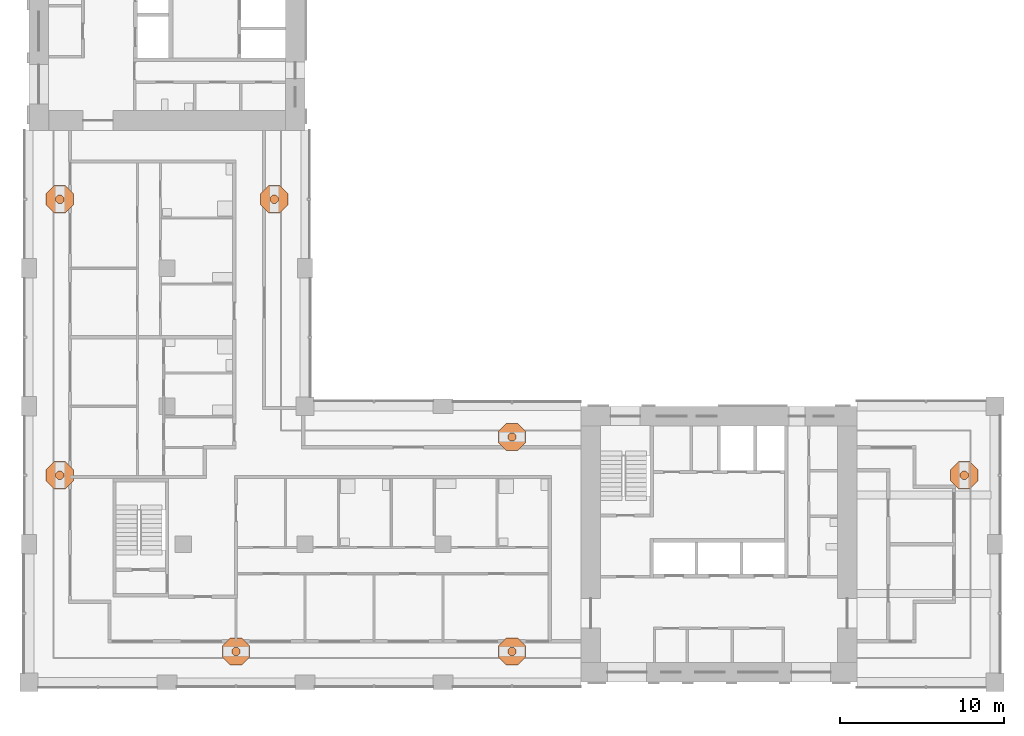
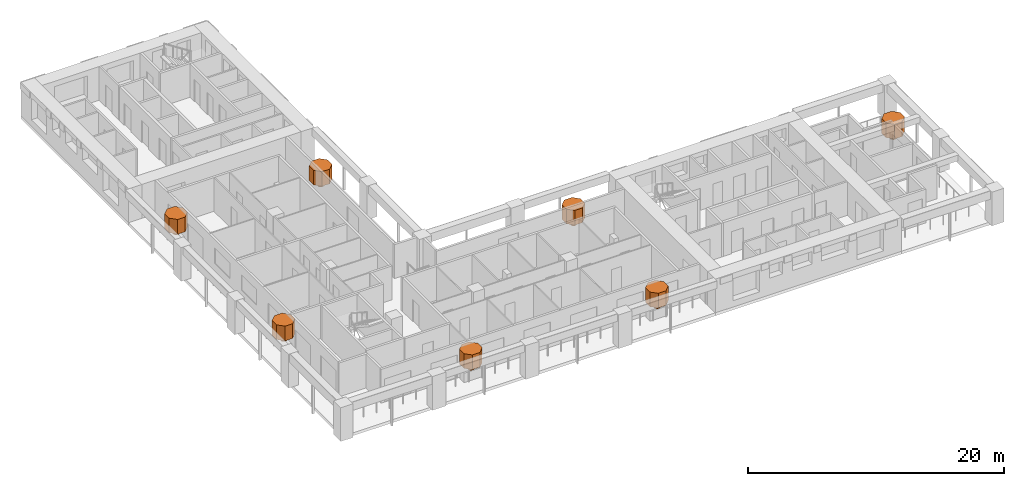
# One storey, part 13 of 13: 14 geographic elements.
"""IFC4 building model written with IfcOpenShell, lengths in metres."""

from ifc_helpers import new_model, si_unit, direction, frame, origin, place, context, subcontext, project, spatial, polyline, outline, extrude, material, element, save


model = new_model("IFC4")

# Units and contexts
model_context = context("Model", 3, precision=1e-05, world=origin(), true_north=direction((0.0, 1.0)))
body_context = subcontext(model_context, "Body", "Model", "MODEL_VIEW")
ifc_project = project(units=[si_unit("LENGTHUNIT", "METRE"), si_unit("AREAUNIT", "SQUARE_METRE"), si_unit("VOLUMEUNIT", "CUBIC_METRE"), si_unit("PLANEANGLEUNIT", "RADIAN"), si_unit("MASSUNIT", "GRAM", prefix="KILO")], contexts=[model_context])

# Site, building, storey
site_placement = place(None, origin())
site = spatial("IfcSite", under=ifc_project, at=site_placement, CompositionType="ELEMENT")
building_placement = place(site_placement, origin())
building = spatial("IfcBuilding", under=site, at=building_placement, Name="Vermilion Gate Residences", CompositionType="ELEMENT")
storey_placement = place(building_placement, frame((0.0, 0.0, 147.699951171875)))
storey = spatial("IfcBuildingStorey", under=building, at=storey_placement, Name="L37", CompositionType="ELEMENT", Elevation=147.699951171875)

# Geographic elements
ifc_material = material(Name="Foliage")
geographic_element_1_placement = place(storey_placement, frame((0.0, 0.0, 0.900146484375)))
element("IfcGeographicElement", 1, at=geographic_element_1_placement, inside=storey, material=ifc_material, Name="Tree (maple)", ObjectType="TREE", PredefinedType="USERDEFINED", context=body_context, shape_type="SweptSolid", body=[
    extrude(outline(polyline([(21.254150390625, 10.380126953125), (21.105224609375, 10.529052734375), (20.894775390625, 10.529052734375), (20.745849609375, 10.380126953125), (20.745849609375, 10.169921875), (20.894775390625, 10.02099609375), (21.105224609375, 10.02099609375), (21.254150390625, 10.169921875), (21.254150390625, 10.380126953125)])), origin(), (0.0, 0.0, 1.0), 0.52001953125),
])
geographic_element_2_placement = place(storey_placement, frame((0.0, 0.0, 1.420166015625)))
element("IfcGeographicElement", 2, at=geographic_element_2_placement, inside=storey, material=ifc_material, Name="Tree crown (maple)", ObjectType="TREE", PredefinedType="USERDEFINED", context=body_context, shape_type="SweptSolid", body=[
    extrude(outline(polyline([(21.83154296875, 10.619384765625), (21.344482421875, 11.1064453125), (20.655517578125, 11.1064453125), (20.16845703125, 10.619384765625), (20.16845703125, 9.9306640625), (20.655517578125, 9.443603515625), (21.344482421875, 9.443603515625), (21.83154296875, 9.9306640625), (21.83154296875, 10.619384765625)])), origin(), (0.0, 0.0, 1.0), 1.39990234375),
])
geographic_element_3_placement = place(storey_placement, frame((0.0, 0.0, 0.900146484375)))
element("IfcGeographicElement", 3, at=geographic_element_3_placement, inside=storey, material=ifc_material, Name="Tree (black pine)", ObjectType="TREE", PredefinedType="USERDEFINED", context=body_context, shape_type="SweptSolid", body=[
    extrude(outline(polyline([(38.05419921875, 10.380126953125), (37.9052734375, 10.529052734375), (37.69482421875, 10.529052734375), (37.5458984375, 10.380126953125), (37.5458984375, 10.169921875), (37.69482421875, 10.02099609375), (37.9052734375, 10.02099609375), (38.05419921875, 10.169921875), (38.05419921875, 10.380126953125)])), origin(), (0.0, 0.0, 1.0), 0.52001953125),
])
geographic_element_4_placement = place(storey_placement, frame((0.0, 0.0, 1.420166015625)))
element("IfcGeographicElement", 4, at=geographic_element_4_placement, inside=storey, material=ifc_material, Name="Tree crown (black pine)", ObjectType="TREE", PredefinedType="USERDEFINED", context=body_context, shape_type="SweptSolid", body=[
    extrude(outline(polyline([(38.631591796875, 10.619384765625), (38.144287109375, 11.1064453125), (37.45556640625, 11.1064453125), (36.968505859375, 10.619384765625), (36.968505859375, 9.9306640625), (37.45556640625, 9.443603515625), (38.144287109375, 9.443603515625), (38.631591796875, 9.9306640625), (38.631591796875, 10.619384765625)])), origin(), (0.0, 0.0, 1.0), 1.39990234375),
])
geographic_element_5_placement = place(storey_placement, frame((0.0, 0.0, 0.900146484375)))
element("IfcGeographicElement", 5, at=geographic_element_5_placement, inside=storey, material=ifc_material, Name="Tree (maple)", ObjectType="TREE", PredefinedType="USERDEFINED", context=body_context, shape_type="SweptSolid", body=[
    extrude(outline(polyline([(65.5791015625, 21.105224609375), (65.43017578125, 21.254150390625), (65.2197265625, 21.254150390625), (65.07080078125, 21.105224609375), (65.07080078125, 20.894775390625), (65.2197265625, 20.745849609375), (65.43017578125, 20.745849609375), (65.5791015625, 20.894775390625), (65.5791015625, 21.105224609375)])), origin(), (0.0, 0.0, 1.0), 0.52001953125),
])
geographic_element_6_placement = place(storey_placement, frame((0.0, 0.0, 1.420166015625)))
element("IfcGeographicElement", 6, at=geographic_element_6_placement, inside=storey, material=ifc_material, Name="Tree crown (maple)", ObjectType="TREE", PredefinedType="USERDEFINED", context=body_context, shape_type="SweptSolid", body=[
    extrude(outline(polyline([(66.156494140625, 21.344482421875), (65.66943359375, 21.83154296875), (64.980712890625, 21.83154296875), (64.493408203125, 21.344482421875), (64.493408203125, 20.655517578125), (64.980712890625, 20.16845703125), (65.66943359375, 20.16845703125), (66.156494140625, 20.655517578125), (66.156494140625, 21.344482421875)])), origin(), (0.0, 0.0, 1.0), 1.39990234375),
])
geographic_element_7_placement = place(storey_placement, frame((0.0, 0.0, 0.900146484375)))
element("IfcGeographicElement", 7, at=geographic_element_7_placement, inside=storey, material=ifc_material, Name="Tree (black pine)", ObjectType="TREE", PredefinedType="USERDEFINED", context=body_context, shape_type="SweptSolid", body=[
    extrude(outline(polyline([(38.05419921875, 23.43017578125), (37.9052734375, 23.5791015625), (37.69482421875, 23.5791015625), (37.5458984375, 23.43017578125), (37.5458984375, 23.2197265625), (37.69482421875, 23.07080078125), (37.9052734375, 23.07080078125), (38.05419921875, 23.2197265625), (38.05419921875, 23.43017578125)])), origin(), (0.0, 0.0, 1.0), 0.52001953125),
])
geographic_element_8_placement = place(storey_placement, frame((0.0, 0.0, 1.420166015625)))
element("IfcGeographicElement", 8, at=geographic_element_8_placement, inside=storey, material=ifc_material, Name="Tree crown (black pine)", ObjectType="TREE", PredefinedType="USERDEFINED", context=body_context, shape_type="SweptSolid", body=[
    extrude(outline(polyline([(38.631591796875, 23.66943359375), (38.144287109375, 24.156494140625), (37.45556640625, 24.156494140625), (36.968505859375, 23.66943359375), (36.968505859375, 22.980712890625), (37.45556640625, 22.493408203125), (38.144287109375, 22.493408203125), (38.631591796875, 22.980712890625), (38.631591796875, 23.66943359375)])), origin(), (0.0, 0.0, 1.0), 1.39990234375),
])
geographic_element_9_placement = place(storey_placement, frame((0.0, 0.0, 0.900146484375)))
element("IfcGeographicElement", 9, at=geographic_element_9_placement, inside=storey, material=ifc_material, Name="Tree (black pine)", ObjectType="TREE", PredefinedType="USERDEFINED", context=body_context, shape_type="SweptSolid", body=[
    extrude(outline(polyline([(23.5791015625, 37.9052734375), (23.43017578125, 38.05419921875), (23.2197265625, 38.05419921875), (23.07080078125, 37.9052734375), (23.07080078125, 37.69482421875), (23.2197265625, 37.5458984375), (23.43017578125, 37.5458984375), (23.5791015625, 37.69482421875), (23.5791015625, 37.9052734375)])), origin(), (0.0, 0.0, 1.0), 0.52001953125),
])
geographic_element_10_placement = place(storey_placement, frame((0.0, 0.0, 1.420166015625)))
element("IfcGeographicElement", 10, at=geographic_element_10_placement, inside=storey, material=ifc_material, Name="Tree crown (black pine)", ObjectType="TREE", PredefinedType="USERDEFINED", context=body_context, shape_type="SweptSolid", body=[
    extrude(outline(polyline([(24.156494140625, 38.144287109375), (23.66943359375, 38.631591796875), (22.980712890625, 38.631591796875), (22.493408203125, 38.144287109375), (22.493408203125, 37.45556640625), (22.980712890625, 36.968505859375), (23.66943359375, 36.968505859375), (24.156494140625, 37.45556640625), (24.156494140625, 38.144287109375)])), origin(), (0.0, 0.0, 1.0), 1.39990234375),
])
geographic_element_11_placement = place(storey_placement, frame((0.0, 0.0, 0.900146484375)))
element("IfcGeographicElement", 11, at=geographic_element_11_placement, inside=storey, material=ifc_material, Name="Tree (maple)", ObjectType="TREE", PredefinedType="USERDEFINED", context=body_context, shape_type="SweptSolid", body=[
    extrude(outline(polyline([(10.529052734375, 21.105224609375), (10.380126953125, 21.254150390625), (10.169921875, 21.254150390625), (10.02099609375, 21.105224609375), (10.02099609375, 20.894775390625), (10.169921875, 20.745849609375), (10.380126953125, 20.745849609375), (10.529052734375, 20.894775390625), (10.529052734375, 21.105224609375)])), origin(), (0.0, 0.0, 1.0), 0.52001953125),
])
geographic_element_12_placement = place(storey_placement, frame((0.0, 0.0, 1.420166015625)))
element("IfcGeographicElement", 12, at=geographic_element_12_placement, inside=storey, material=ifc_material, Name="Tree crown (maple)", ObjectType="TREE", PredefinedType="USERDEFINED", context=body_context, shape_type="SweptSolid", body=[
    extrude(outline(polyline([(11.1064453125, 21.344482421875), (10.619384765625, 21.83154296875), (9.9306640625, 21.83154296875), (9.443603515625, 21.344482421875), (9.443603515625, 20.655517578125), (9.9306640625, 20.16845703125), (10.619384765625, 20.16845703125), (11.1064453125, 20.655517578125), (11.1064453125, 21.344482421875)])), origin(), (0.0, 0.0, 1.0), 1.39990234375),
])
geographic_element_13_placement = place(storey_placement, frame((0.0, 0.0, 0.900146484375)))
element("IfcGeographicElement", 13, at=geographic_element_13_placement, inside=storey, material=ifc_material, Name="Tree (black pine)", ObjectType="TREE", PredefinedType="USERDEFINED", context=body_context, shape_type="SweptSolid", body=[
    extrude(outline(polyline([(10.529052734375, 37.9052734375), (10.380126953125, 38.05419921875), (10.169921875, 38.05419921875), (10.02099609375, 37.9052734375), (10.02099609375, 37.69482421875), (10.169921875, 37.5458984375), (10.380126953125, 37.5458984375), (10.529052734375, 37.69482421875), (10.529052734375, 37.9052734375)])), origin(), (0.0, 0.0, 1.0), 0.52001953125),
])
geographic_element_14_placement = place(storey_placement, frame((0.0, 0.0, 1.420166015625)))
element("IfcGeographicElement", 14, at=geographic_element_14_placement, inside=storey, material=ifc_material, Name="Tree crown (black pine)", ObjectType="TREE", PredefinedType="USERDEFINED", context=body_context, shape_type="SweptSolid", body=[
    extrude(outline(polyline([(11.1064453125, 38.144287109375), (10.619384765625, 38.631591796875), (9.9306640625, 38.631591796875), (9.443603515625, 38.144287109375), (9.443603515625, 37.45556640625), (9.9306640625, 36.968505859375), (10.619384765625, 36.968505859375), (11.1064453125, 37.45556640625), (11.1064453125, 38.144287109375)])), origin(), (0.0, 0.0, 1.0), 1.39990234375),
])

save(model, "model.ifc")
